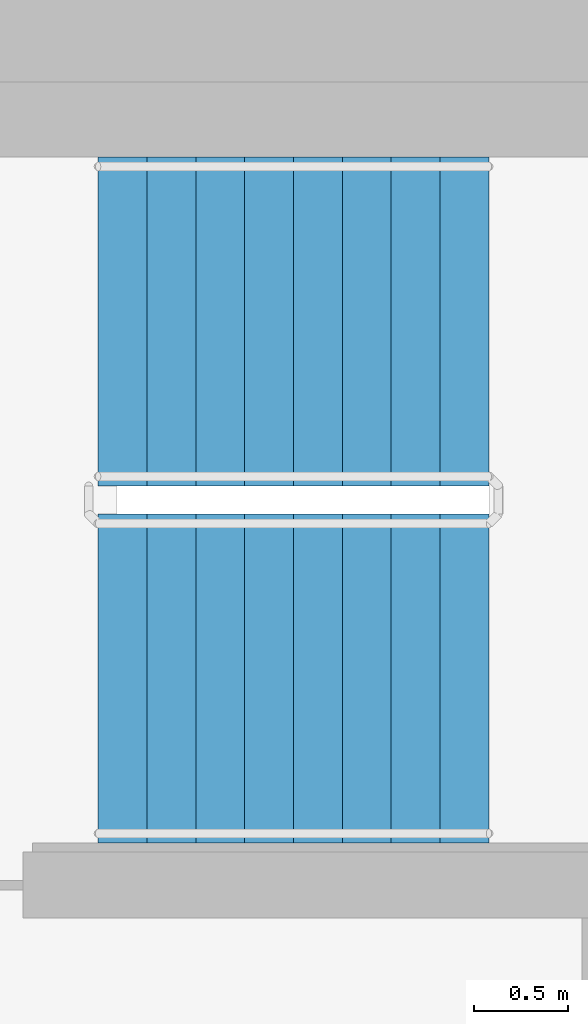
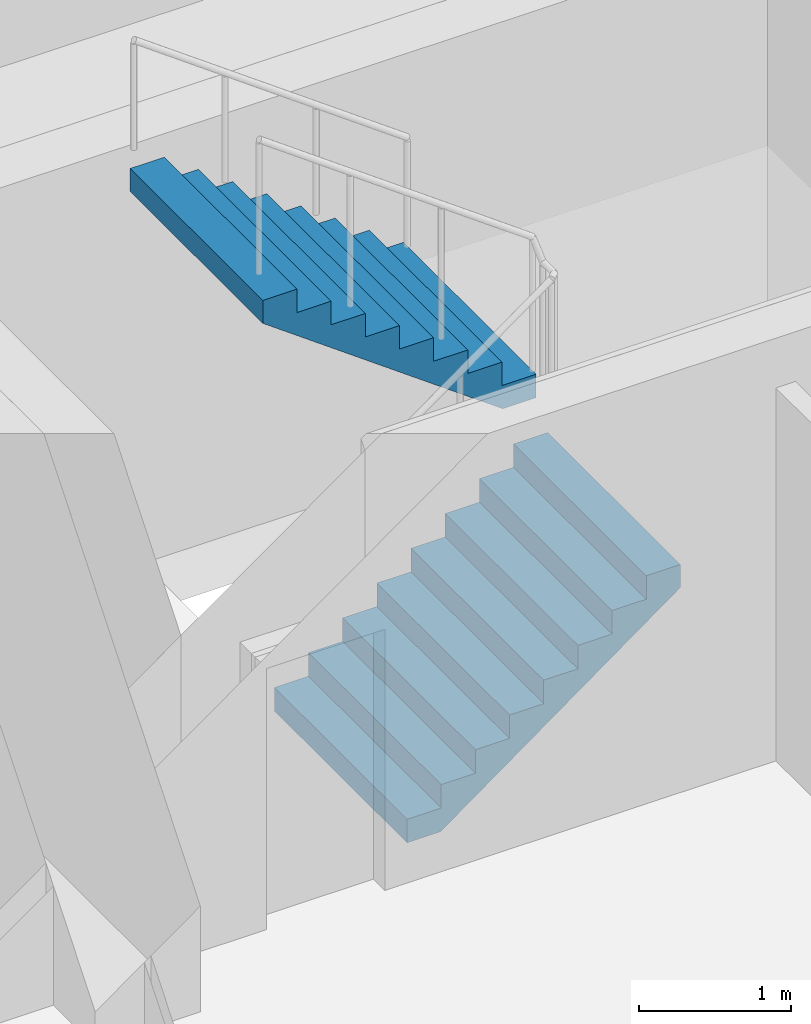
# One storey, part 13 of 18: 2 stair flights, 1 element without a shape of its own.
"""IFC4 building model written with IfcOpenShell, lengths in metres."""

import ifcopenshell
import ifcopenshell.guid

model = None  # the IFC model being written
_history = None  # IfcOwnerHistory: only IFC2X3 demands one
_inside = {}  # id of a spatial element -> (the spatial element, [elements in it])
_under = {}  # id of a project, library or spatial element -> (it, [spatial elements below it])
_declared = {}  # id of a project -> (the project, [libraries it declares])
_typed = {}  # id of a type object -> (the type object, [elements of that type])
_made_of = {}  # id of a material, layer set ... -> (it, [elements and type objects made of it])


def new_model(schema):
    """Start an empty IFC model of exactly this schema.

    Asked for "IFC4X3", IfcOpenShell would pick the latest addendum, in which some entities
    have other attributes; the version numbers below select the first issue.
    IFC2X3 requires an IfcOwnerHistory on every rooted entity: one is made here for all.
    """
    global model, _history
    if schema == "IFC4X3":
        model = ifcopenshell.file(schema_version=(4, 3, 0, 0))
    else:
        model = ifcopenshell.file(schema=schema)
    _inside.clear()
    _under.clear()
    _declared.clear()
    _typed.clear()
    _made_of.clear()
    _history = None
    if model.schema == "IFC2X3":
        org = make("IfcOrganization", Name="unknown")
        user = make(
            "IfcPersonAndOrganization",
            ThePerson=make("IfcPerson", FamilyName="unknown"),
            TheOrganization=org,
        )
        app = make(
            "IfcApplication",
            ApplicationDeveloper=org,
            Version="unknown",
            ApplicationFullName="unknown",
            ApplicationIdentifier="unknown",
        )
        _history = make(
            "IfcOwnerHistory",
            OwningUser=user,
            OwningApplication=app,
            ChangeAction="ADDED",
            CreationDate=0,
        )
    return model


def make(cls, **values):
    """One entity of the class cls with the attributes given. An attribute that is None is left unset."""
    return model.create_entity(
        cls, **{name: value for name, value in values.items() if value is not None}
    )


def rooted(cls, **values):
    """An entity with a GlobalId (a new one), such as an element, a storey or a relation."""
    return make(cls, GlobalId=ifcopenshell.guid.new(), OwnerHistory=_history, **values)


def si_unit(unit_type, name, prefix=None):
    """IfcSIUnit, for example si_unit("LENGTHUNIT", "METRE", prefix="MILLI")."""
    return make("IfcSIUnit", UnitType=unit_type, Prefix=prefix, Name=name)


def assignment(units):
    """IfcUnitAssignment: the units of a project."""
    return None if units is None else make("IfcUnitAssignment", Units=units)


def point(xyz):
    """IfcCartesianPoint."""
    return None if xyz is None else make("IfcCartesianPoint", Coordinates=xyz)


def direction(xyz):
    """IfcDirection."""
    return None if xyz is None else make("IfcDirection", DirectionRatios=xyz)


def frame(location, z_axis=None, x_axis=None):
    """IfcAxis2Placement3D, a coordinate frame: its origin and axes. An axis left out is left unset."""
    return make(
        "IfcAxis2Placement3D",
        Location=point(location),
        Axis=direction(z_axis),
        RefDirection=direction(x_axis),
    )


def origin():
    """The frame at (0, 0, 0) with its axes left unset."""
    return frame((0.0, 0.0, 0.0))


def place(relative_to, where):
    """IfcLocalPlacement: puts the frame where relative to a parent placement (None: the world)."""
    return make(
        "IfcLocalPlacement", PlacementRelTo=relative_to, RelativePlacement=where
    )


def context(
    kind, dimensions, precision=None, world=None, true_north=None, identifier=None
):
    """IfcGeometricRepresentationContext, for example the 3D "Model" context."""
    return make(
        "IfcGeometricRepresentationContext",
        ContextIdentifier=identifier,
        ContextType=kind,
        CoordinateSpaceDimension=dimensions,
        Precision=precision,
        WorldCoordinateSystem=world,
        TrueNorth=true_north,
    )


def subcontext(parent, identifier, kind, view, scale=None):
    """IfcGeometricRepresentationSubContext, for example "Body" below "Model"."""
    return make(
        "IfcGeometricRepresentationSubContext",
        ContextIdentifier=identifier,
        ContextType=kind,
        ParentContext=parent,
        TargetScale=scale,
        TargetView=view,
    )


def project(units=None, contexts=None):
    """IfcProject with its units and contexts."""
    return rooted(
        "IfcProject",
        Name="project",
        RepresentationContexts=contexts,
        UnitsInContext=assignment(units),
    )


def spatial(cls, under=None, at=None, **own):
    """A site, building, storey or space (cls), placed at a placement, below another one or the project."""
    s = rooted(cls, ObjectPlacement=at, **own)
    if under is not None:
        _under.setdefault(under.id(), (under, []))[1].append(s)
    return s


def faces_of(points, faces, orient=None, outer=None):
    """IfcFace entities. A face is a list of loops; a loop is a list of indices into points, from 0.

    orient and outer hold one flag for each loop. By default every Orientation is true, the
    first loop of a face is its IfcFaceOuterBound and the others are IfcFaceBound.
    """
    made = []
    for i, loops in enumerate(faces):
        bounds = []
        for j, loop in enumerate(loops):
            is_outer = j == 0 if outer is None else outer[i][j]
            bounds.append(
                make(
                    "IfcFaceOuterBound" if is_outer else "IfcFaceBound",
                    Bound=make("IfcPolyLoop", Polygon=[points[k] for k in loop]),
                    Orientation=True if orient is None else orient[i][j],
                )
            )
        made.append(make("IfcFace", Bounds=bounds))
    return made


def faceted_brep(points, faces, orient=None, outer=None, voids=None):
    """IfcFacetedBrep: a solid bounded by flat faces; with voids (closed shells), ...WithVoids."""
    shared = [point(p) for p in points]
    hull = make("IfcClosedShell", CfsFaces=faces_of(shared, faces, orient, outer))
    if voids is None:
        return make("IfcFacetedBrep", Outer=hull)
    return make(
        "IfcFacetedBrepWithVoids",
        Outer=hull,
        Voids=[
            make(cls, CfsFaces=faces_of(shared, fs, o, b)) for cls, fs, o, b in voids
        ],
    )


def shape(context_of_items, identifier, shape_type, items):
    """IfcShapeRepresentation: the items that make up one representation, for example the "Body"."""
    return make(
        "IfcShapeRepresentation",
        ContextOfItems=context_of_items,
        RepresentationIdentifier=identifier,
        RepresentationType=shape_type,
        Items=items,
    )


def material(Name=None, Category=None):
    """IfcMaterial."""
    return make("IfcMaterial", Name=Name, Category=Category)


def made_of(thing, what):
    """Note that an element or type object is made of a material, layer set ...; save() writes the relation."""
    if what is not None:
        _made_of.setdefault(what.id(), (what, []))[1].append(thing)
    return thing


def type_object(cls, material=None, **own):
    """A type object (cls), such as IfcWallType, which elements share."""
    return made_of(rooted(cls, **own), material)


def element(
    cls,
    number,
    at=None,
    inside=None,
    cuts=None,
    type_object=None,
    material=None,
    context=None,
    identifier="Body",
    shape_type=None,
    held_by="IfcProductDefinitionShape",
    body=None,
    shapes=None,
    **own,
):
    """One element of the class cls, such as IfcWall. Its Tag is "e" and its number.

    at: its placement. inside: the storey or other place that contains it. cuts: it is an
    opening in that element (IfcRelVoidsElement). A single representation is given by context,
    identifier, shape_type and body (its items); several are given by shapes. held_by: the class
    of the entity that holds the representations. save() writes the other relations.
    """
    e = rooted(cls, Tag="e%d" % number, ObjectPlacement=at, **own)
    if body is not None:
        shapes = [shape(context, identifier, shape_type, body)]
    if shapes is not None:
        e.Representation = make(held_by, Representations=shapes)
    if inside is not None:
        _inside.setdefault(inside.id(), (inside, []))[1].append(e)
    if cuts is not None:
        rooted(
            "IfcRelVoidsElement", RelatingBuildingElement=cuts, RelatedOpeningElement=e
        )
    if type_object is not None:
        _typed.setdefault(type_object.id(), (type_object, []))[1].append(e)
    return made_of(e, material)


def aggregate(whole, parts):
    """IfcRelAggregates: a whole, such as a stair, and the parts it consists of."""
    return rooted("IfcRelAggregates", RelatingObject=whole, RelatedObjects=parts)


def save(model, path):
    """Write the relations noted so far, then the file.

    IfcRelAggregates (storeys below a building ...), IfcRelContainedInSpatialStructure (elements
    in a storey), IfcRelDefinesByType, IfcRelAssociatesMaterial and IfcRelDeclares: one each for
    every whole, place, type object, material and project.
    """
    for whole, parts in _under.values():
        aggregate(whole, parts)
    for where, things in _inside.values():
        rooted(
            "IfcRelContainedInSpatialStructure",
            RelatedElements=things,
            RelatingStructure=where,
        )
    for kind, things in _typed.values():
        rooted("IfcRelDefinesByType", RelatedObjects=things, RelatingType=kind)
    for what, things in _made_of.values():
        rooted("IfcRelAssociatesMaterial", RelatedObjects=things, RelatingMaterial=what)
    for by, libraries in _declared.values():
        rooted("IfcRelDeclares", RelatingContext=by, RelatedDefinitions=libraries)
    model.write(path)


model = new_model("IFC4")

# Units and contexts
model_context = context("Model", 3, precision=1e-05, world=origin(), true_north=direction((0.0, 1.0)))
body_context = subcontext(model_context, "Body", "Model", "MODEL_VIEW")
ifc_project = project(units=[si_unit("LENGTHUNIT", "METRE"), si_unit("AREAUNIT", "SQUARE_METRE"), si_unit("VOLUMEUNIT", "CUBIC_METRE"), si_unit("PLANEANGLEUNIT", "RADIAN"), si_unit("MASSUNIT", "GRAM", prefix="KILO")], contexts=[model_context])

# Site, building, storey
site_placement = place(None, origin())
site = spatial("IfcSite", under=ifc_project, at=site_placement, CompositionType="ELEMENT")
building_placement = place(site_placement, origin())
building = spatial("IfcBuilding", under=site, at=building_placement, Name="Ipe Terrace Towers", CompositionType="ELEMENT")
storey_placement = place(building_placement, frame((0.0, 0.0, 143.89990234375)))
storey = spatial("IfcBuildingStorey", under=building, at=storey_placement, Name="L39", CompositionType="ELEMENT", Elevation=143.89990234375)

# Stair, stair flights
ifc_material_1 = material(Name="Concrete C30/37", Category="concrete")
stair_type = type_object("IfcStairType", Name="Protected exit stair", PredefinedType="HALF_TURN_STAIR", material=ifc_material_1)
stair_placement = place(storey_placement, origin())
stair = element("IfcStair", 1, at=stair_placement, inside=storey, type_object=stair_type, Name="L39 Exit stair T1-C1", PredefinedType="HALF_TURN_STAIR")
ifc_material_2 = material(Name="Concrete C30/37", Category="concrete")
stair_flight_type = type_object("IfcStairFlightType", Name="Exit stair flight 1750", PredefinedType="STRAIGHT", material=ifc_material_2)
stair_flight_1_placement = place(storey_placement, frame((-26.300048828125, 2.77490234375, 0.0), z_axis=(0.0, 0.0, 1.0), x_axis=(1.0, 0.0, 0.0)))
stair_flight_1 = element("IfcStairFlight", 2, at=stair_flight_1_placement, type_object=stair_flight_type, Name="T1-ST1 flight 1", NumberOfRisers=9, NumberOfTreads=8, PredefinedType="STRAIGHT", RiserHeight=0.188888889, TreadLength=0.26, context=body_context, shape_type="Brep", body=[
    faceted_brep([(0.255126953125, -0.875, 0.0), (2.080078125, -0.875, 1.325927734375), (2.080078125, -0.875, 1.51123046875), (1.820068359375, -0.875, 1.51123046875), (1.820068359375, -0.875, 1.322265625), (1.56005859375, -0.875, 1.322265625), (1.56005859375, -0.875, 1.13330078125), (1.300048828125, -0.875, 1.13330078125), (1.300048828125, -0.875, 0.9443359375), (1.0400390625, -0.875, 0.9443359375), (1.0400390625, -0.875, 0.755615234375), (0.780029296875, -0.875, 0.755615234375), (0.780029296875, -0.875, 0.566650390625), (0.52001953125, -0.875, 0.566650390625), (0.52001953125, -0.875, 0.377685546875), (0.260009765625, -0.875, 0.377685546875), (0.260009765625, -0.875, 0.18896484375), (0.0, -0.875, 0.18896484375), (0.0, -0.875, 0.0), (0.0, 0.875, 0.0), (0.0, 0.875, 0.18896484375), (0.260009765625, 0.875, 0.18896484375), (0.260009765625, 0.875, 0.377685546875), (0.52001953125, 0.875, 0.377685546875), (0.52001953125, 0.875, 0.566650390625), (0.780029296875, 0.875, 0.566650390625), (0.780029296875, 0.875, 0.755615234375), (1.0400390625, 0.875, 0.755615234375), (1.0400390625, 0.875, 0.9443359375), (1.300048828125, 0.875, 0.9443359375), (1.300048828125, 0.875, 1.13330078125), (1.56005859375, 0.875, 1.13330078125), (1.56005859375, 0.875, 1.322265625), (1.820068359375, 0.875, 1.322265625), (1.820068359375, 0.875, 1.51123046875), (2.080078125, 0.875, 1.51123046875), (2.080078125, 0.875, 1.325927734375), (0.255126953125, 0.875, 0.0), (0.0, -0.300048828125, 0.18896484375), (0.0, -0.1201171875, 0.18896484375), (0.0, -0.06005859375, 0.18896484375), (0.0, -0.030029296875, 0.18896484375), (0.0, -0.010009765625, 0.18896484375), (0.0, 0.0, 0.18896484375), (0.0, 0.010009765625, 0.18896484375), (0.0, 0.030029296875, 0.18896484375), (0.0, 0.06005859375, 0.18896484375), (0.0, 0.1201171875, 0.18896484375), (0.0, 0.300048828125, 0.18896484375), (0.0, 0.300048828125, 0.0), (0.0, 0.1201171875, 0.0), (0.0, 0.06005859375, 0.0), (0.0, 0.030029296875, 0.0), (0.0, 0.010009765625, 0.0), (0.0, 0.0, 0.0), (0.0, -0.010009765625, 0.0), (0.0, -0.030029296875, 0.0), (0.0, -0.06005859375, 0.0), (0.0, -0.1201171875, 0.0), (0.0, -0.300048828125, 0.0), (0.260009765625, -0.300048828125, 0.18896484375), (0.260009765625, -0.1201171875, 0.18896484375), (0.260009765625, -0.06005859375, 0.18896484375), (0.260009765625, -0.030029296875, 0.18896484375), (0.260009765625, -0.010009765625, 0.18896484375), (0.260009765625, 0.0, 0.18896484375), (0.260009765625, 0.010009765625, 0.18896484375), (0.260009765625, 0.030029296875, 0.18896484375), (0.260009765625, 0.06005859375, 0.18896484375), (0.260009765625, 0.1201171875, 0.18896484375), (0.260009765625, 0.300048828125, 0.18896484375), (0.260009765625, -0.300048828125, 0.377685546875), (0.260009765625, -0.1201171875, 0.377685546875), (0.260009765625, -0.06005859375, 0.377685546875), (0.260009765625, -0.030029296875, 0.377685546875), (0.260009765625, -0.010009765625, 0.377685546875), (0.260009765625, 0.0, 0.377685546875), (0.260009765625, 0.010009765625, 0.377685546875), (0.260009765625, 0.030029296875, 0.377685546875), (0.260009765625, 0.06005859375, 0.377685546875), (0.260009765625, 0.1201171875, 0.377685546875), (0.260009765625, 0.300048828125, 0.377685546875), (0.52001953125, -0.300048828125, 0.377685546875), (0.52001953125, -0.1201171875, 0.377685546875), (0.52001953125, -0.06005859375, 0.377685546875), (0.52001953125, -0.030029296875, 0.377685546875), (0.52001953125, -0.010009765625, 0.377685546875), (0.52001953125, 0.0, 0.377685546875), (0.52001953125, 0.010009765625, 0.377685546875), (0.52001953125, 0.030029296875, 0.377685546875), (0.52001953125, 0.06005859375, 0.377685546875), (0.52001953125, 0.1201171875, 0.377685546875), (0.52001953125, 0.300048828125, 0.377685546875), (0.52001953125, -0.300048828125, 0.566650390625), (0.52001953125, -0.1201171875, 0.566650390625), (0.52001953125, -0.06005859375, 0.566650390625), (0.52001953125, -0.030029296875, 0.566650390625), (0.52001953125, -0.010009765625, 0.566650390625), (0.52001953125, 0.0, 0.566650390625), (0.52001953125, 0.010009765625, 0.566650390625), (0.52001953125, 0.030029296875, 0.566650390625), (0.52001953125, 0.06005859375, 0.566650390625), (0.52001953125, 0.1201171875, 0.566650390625), (0.52001953125, 0.300048828125, 0.566650390625), (0.780029296875, -0.300048828125, 0.566650390625), (0.780029296875, -0.1201171875, 0.566650390625), (0.780029296875, -0.06005859375, 0.566650390625), (0.780029296875, -0.030029296875, 0.566650390625), (0.780029296875, -0.010009765625, 0.566650390625), (0.780029296875, 0.0, 0.566650390625), (0.780029296875, 0.010009765625, 0.566650390625), (0.780029296875, 0.030029296875, 0.566650390625), (0.780029296875, 0.06005859375, 0.566650390625), (0.780029296875, 0.1201171875, 0.566650390625), (0.780029296875, 0.300048828125, 0.566650390625), (0.780029296875, -0.300048828125, 0.755615234375), (0.780029296875, -0.1201171875, 0.755615234375), (0.780029296875, -0.06005859375, 0.755615234375), (0.780029296875, -0.030029296875, 0.755615234375), (0.780029296875, -0.010009765625, 0.755615234375), (0.780029296875, 0.0, 0.755615234375), (0.780029296875, 0.010009765625, 0.755615234375), (0.780029296875, 0.030029296875, 0.755615234375), (0.780029296875, 0.06005859375, 0.755615234375), (0.780029296875, 0.1201171875, 0.755615234375), (0.780029296875, 0.300048828125, 0.755615234375), (1.0400390625, -0.300048828125, 0.755615234375), (1.0400390625, -0.1201171875, 0.755615234375), (1.0400390625, -0.06005859375, 0.755615234375), (1.0400390625, -0.030029296875, 0.755615234375), (1.0400390625, -0.010009765625, 0.755615234375), (1.0400390625, 0.0, 0.755615234375), (1.0400390625, 0.010009765625, 0.755615234375), (1.0400390625, 0.030029296875, 0.755615234375), (1.0400390625, 0.06005859375, 0.755615234375), (1.0400390625, 0.1201171875, 0.755615234375), (1.0400390625, 0.300048828125, 0.755615234375), (1.0400390625, -0.300048828125, 0.9443359375), (1.0400390625, -0.1201171875, 0.9443359375), (1.0400390625, -0.06005859375, 0.9443359375), (1.0400390625, -0.030029296875, 0.9443359375), (1.0400390625, -0.010009765625, 0.9443359375), (1.0400390625, 0.0, 0.9443359375), (1.0400390625, 0.010009765625, 0.9443359375), (1.0400390625, 0.030029296875, 0.9443359375), (1.0400390625, 0.06005859375, 0.9443359375), (1.0400390625, 0.1201171875, 0.9443359375), (1.0400390625, 0.300048828125, 0.9443359375), (1.300048828125, -0.300048828125, 0.9443359375), (1.300048828125, -0.1201171875, 0.9443359375), (1.300048828125, -0.06005859375, 0.9443359375), (1.300048828125, -0.030029296875, 0.9443359375), (1.300048828125, -0.010009765625, 0.9443359375), (1.300048828125, 0.0, 0.9443359375), (1.300048828125, 0.010009765625, 0.9443359375), (1.300048828125, 0.030029296875, 0.9443359375), (1.300048828125, 0.06005859375, 0.9443359375), (1.300048828125, 0.1201171875, 0.9443359375), (1.300048828125, 0.300048828125, 0.9443359375), (1.300048828125, -0.300048828125, 1.13330078125), (1.300048828125, -0.1201171875, 1.13330078125), (1.300048828125, -0.06005859375, 1.13330078125), (1.300048828125, -0.030029296875, 1.13330078125), (1.300048828125, -0.010009765625, 1.13330078125), (1.300048828125, 0.0, 1.13330078125), (1.300048828125, 0.010009765625, 1.13330078125), (1.300048828125, 0.030029296875, 1.13330078125), (1.300048828125, 0.06005859375, 1.13330078125), (1.300048828125, 0.1201171875, 1.13330078125), (1.300048828125, 0.300048828125, 1.13330078125), (1.56005859375, -0.300048828125, 1.13330078125), (1.56005859375, -0.1201171875, 1.13330078125), (1.56005859375, -0.06005859375, 1.13330078125), (1.56005859375, -0.030029296875, 1.13330078125), (1.56005859375, -0.010009765625, 1.13330078125), (1.56005859375, 0.0, 1.13330078125), (1.56005859375, 0.010009765625, 1.13330078125), (1.56005859375, 0.030029296875, 1.13330078125), (1.56005859375, 0.06005859375, 1.13330078125), (1.56005859375, 0.1201171875, 1.13330078125), (1.56005859375, 0.300048828125, 1.13330078125), (1.56005859375, -0.300048828125, 1.322265625), (1.56005859375, -0.1201171875, 1.322265625), (1.56005859375, -0.06005859375, 1.322265625), (1.56005859375, -0.030029296875, 1.322265625), (1.56005859375, -0.010009765625, 1.322265625), (1.56005859375, 0.0, 1.322265625), (1.56005859375, 0.010009765625, 1.322265625), (1.56005859375, 0.030029296875, 1.322265625), (1.56005859375, 0.06005859375, 1.322265625), (1.56005859375, 0.1201171875, 1.322265625), (1.56005859375, 0.300048828125, 1.322265625), (1.820068359375, -0.300048828125, 1.322265625), (1.820068359375, -0.1201171875, 1.322265625), (1.820068359375, -0.06005859375, 1.322265625), (1.820068359375, -0.030029296875, 1.322265625), (1.820068359375, -0.010009765625, 1.322265625), (1.820068359375, 0.0, 1.322265625), (1.820068359375, 0.010009765625, 1.322265625), (1.820068359375, 0.030029296875, 1.322265625), (1.820068359375, 0.06005859375, 1.322265625), (1.820068359375, 0.1201171875, 1.322265625), (1.820068359375, 0.300048828125, 1.322265625), (1.820068359375, -0.300048828125, 1.51123046875), (1.820068359375, -0.1201171875, 1.51123046875), (1.820068359375, -0.06005859375, 1.51123046875), (1.820068359375, -0.030029296875, 1.51123046875), (1.820068359375, -0.010009765625, 1.51123046875), (1.820068359375, 0.0, 1.51123046875), (1.820068359375, 0.010009765625, 1.51123046875), (1.820068359375, 0.030029296875, 1.51123046875), (1.820068359375, 0.06005859375, 1.51123046875), (1.820068359375, 0.1201171875, 1.51123046875), (1.820068359375, 0.300048828125, 1.51123046875), (2.080078125, -0.300048828125, 1.51123046875), (2.080078125, -0.1201171875, 1.51123046875), (2.080078125, -0.06005859375, 1.51123046875), (2.080078125, -0.030029296875, 1.51123046875), (2.080078125, -0.010009765625, 1.51123046875), (2.080078125, 0.0, 1.51123046875), (2.080078125, 0.010009765625, 1.51123046875), (2.080078125, 0.030029296875, 1.51123046875), (2.080078125, 0.06005859375, 1.51123046875), (2.080078125, 0.1201171875, 1.51123046875), (2.080078125, 0.300048828125, 1.51123046875), (2.080078125, -0.300048828125, 1.325927734375), (2.080078125, -0.1201171875, 1.325927734375), (2.080078125, -0.06005859375, 1.325927734375), (2.080078125, -0.030029296875, 1.325927734375), (2.080078125, -0.010009765625, 1.325927734375), (2.080078125, 0.0, 1.325927734375), (2.080078125, 0.010009765625, 1.325927734375), (2.080078125, 0.030029296875, 1.325927734375), (2.080078125, 0.06005859375, 1.325927734375), (2.080078125, 0.1201171875, 1.325927734375), (2.080078125, 0.300048828125, 1.325927734375), (0.255126953125, -0.300048828125, 0.0), (0.255126953125, -0.1201171875, 0.0), (0.255126953125, -0.06005859375, 0.0), (0.255126953125, -0.030029296875, 0.0), (0.255126953125, -0.010009765625, 0.0), (0.255126953125, 0.0, 0.0), (0.255126953125, 0.010009765625, 0.0), (0.255126953125, 0.030029296875, 0.0), (0.255126953125, 0.06005859375, 0.0), (0.255126953125, 0.1201171875, 0.0), (0.255126953125, 0.300048828125, 0.0)], [[[0, 1, 2, 3, 4, 5, 6, 7, 8, 9, 10, 11, 12, 13, 14, 15, 16, 17, 18]], [[19, 20, 21, 22, 23, 24, 25, 26, 27, 28, 29, 30, 31, 32, 33, 34, 35, 36, 37]], [[17, 38, 39, 40, 41, 42, 43, 44, 45, 46, 47, 48, 20, 19, 49, 50, 51, 52, 53, 54, 55, 56, 57, 58, 59, 18]], [[16, 60, 61, 62, 63, 64, 65, 66, 67, 68, 69, 70, 21, 20, 48, 47, 46, 45, 44, 43, 42, 41, 40, 39, 38, 17]], [[15, 71, 72, 73, 74, 75, 76, 77, 78, 79, 80, 81, 22, 21, 70, 69, 68, 67, 66, 65, 64, 63, 62, 61, 60, 16]], [[14, 82, 83, 84, 85, 86, 87, 88, 89, 90, 91, 92, 23, 22, 81, 80, 79, 78, 77, 76, 75, 74, 73, 72, 71, 15]], [[13, 93, 94, 95, 96, 97, 98, 99, 100, 101, 102, 103, 24, 23, 92, 91, 90, 89, 88, 87, 86, 85, 84, 83, 82, 14]], [[12, 104, 105, 106, 107, 108, 109, 110, 111, 112, 113, 114, 25, 24, 103, 102, 101, 100, 99, 98, 97, 96, 95, 94, 93, 13]], [[11, 115, 116, 117, 118, 119, 120, 121, 122, 123, 124, 125, 26, 25, 114, 113, 112, 111, 110, 109, 108, 107, 106, 105, 104, 12]], [[10, 126, 127, 128, 129, 130, 131, 132, 133, 134, 135, 136, 27, 26, 125, 124, 123, 122, 121, 120, 119, 118, 117, 116, 115, 11]], [[9, 137, 138, 139, 140, 141, 142, 143, 144, 145, 146, 147, 28, 27, 136, 135, 134, 133, 132, 131, 130, 129, 128, 127, 126, 10]], [[8, 148, 149, 150, 151, 152, 153, 154, 155, 156, 157, 158, 29, 28, 147, 146, 145, 144, 143, 142, 141, 140, 139, 138, 137, 9]], [[7, 159, 160, 161, 162, 163, 164, 165, 166, 167, 168, 169, 30, 29, 158, 157, 156, 155, 154, 153, 152, 151, 150, 149, 148, 8]], [[6, 170, 171, 172, 173, 174, 175, 176, 177, 178, 179, 180, 31, 30, 169, 168, 167, 166, 165, 164, 163, 162, 161, 160, 159, 7]], [[5, 181, 182, 183, 184, 185, 186, 187, 188, 189, 190, 191, 32, 31, 180, 179, 178, 177, 176, 175, 174, 173, 172, 171, 170, 6]], [[4, 192, 193, 194, 195, 196, 197, 198, 199, 200, 201, 202, 33, 32, 191, 190, 189, 188, 187, 186, 185, 184, 183, 182, 181, 5]], [[3, 203, 204, 205, 206, 207, 208, 209, 210, 211, 212, 213, 34, 33, 202, 201, 200, 199, 198, 197, 196, 195, 194, 193, 192, 4]], [[2, 214, 215, 216, 217, 218, 219, 220, 221, 222, 223, 224, 35, 34, 213, 212, 211, 210, 209, 208, 207, 206, 205, 204, 203, 3]], [[1, 225, 226, 227, 228, 229, 230, 231, 232, 233, 234, 235, 36, 35, 224, 223, 222, 221, 220, 219, 218, 217, 216, 215, 214, 2]], [[0, 236, 237, 238, 239, 240, 241, 242, 243, 244, 245, 246, 37, 36, 235, 234, 233, 232, 231, 230, 229, 228, 227, 226, 225, 1]], [[18, 59, 58, 57, 56, 55, 54, 53, 52, 51, 50, 49, 19, 37, 246, 245, 244, 243, 242, 241, 240, 239, 238, 237, 236, 0]]]),
])
stair_flight_2_placement = place(storey_placement, frame((-24.219970703125, 4.675048828125, 1.7001953125), z_axis=(0.0, 0.0, 1.0), x_axis=(-1.0, 0.0, 0.0)))
stair_flight_2 = element("IfcStairFlight", 3, at=stair_flight_2_placement, type_object=stair_flight_type, Name="T1-ST1 flight 2", NumberOfRisers=9, NumberOfTreads=8, PredefinedType="STRAIGHT", RiserHeight=0.188888889, TreadLength=0.26, context=body_context, shape_type="Brep", body=[
    faceted_brep([(0.255126953125, -0.875, 0.0), (2.080078125, -0.875, 1.325927734375), (2.080078125, -0.875, 1.51123046875), (1.820068359375, -0.875, 1.51123046875), (1.820068359375, -0.875, 1.322265625), (1.56005859375, -0.875, 1.322265625), (1.56005859375, -0.875, 1.13330078125), (1.300048828125, -0.875, 1.13330078125), (1.300048828125, -0.875, 0.9443359375), (1.0400390625, -0.875, 0.9443359375), (1.0400390625, -0.875, 0.755615234375), (0.780029296875, -0.875, 0.755615234375), (0.780029296875, -0.875, 0.566650390625), (0.52001953125, -0.875, 0.566650390625), (0.52001953125, -0.875, 0.377685546875), (0.260009765625, -0.875, 0.377685546875), (0.260009765625, -0.875, 0.18896484375), (0.0, -0.875, 0.18896484375), (0.0, -0.875, 0.0), (0.0, 0.875, 0.0), (0.0, 0.875, 0.18896484375), (0.260009765625, 0.875, 0.18896484375), (0.260009765625, 0.875, 0.377685546875), (0.52001953125, 0.875, 0.377685546875), (0.52001953125, 0.875, 0.566650390625), (0.780029296875, 0.875, 0.566650390625), (0.780029296875, 0.875, 0.755615234375), (1.0400390625, 0.875, 0.755615234375), (1.0400390625, 0.875, 0.9443359375), (1.300048828125, 0.875, 0.9443359375), (1.300048828125, 0.875, 1.13330078125), (1.56005859375, 0.875, 1.13330078125), (1.56005859375, 0.875, 1.322265625), (1.820068359375, 0.875, 1.322265625), (1.820068359375, 0.875, 1.51123046875), (2.080078125, 0.875, 1.51123046875), (2.080078125, 0.875, 1.325927734375), (0.255126953125, 0.875, 0.0), (0.0, -0.300048828125, 0.18896484375), (0.0, -0.1201171875, 0.18896484375), (0.0, -0.06005859375, 0.18896484375), (0.0, -0.030029296875, 0.18896484375), (0.0, -0.010009765625, 0.18896484375), (0.0, 0.0, 0.18896484375), (0.0, 0.010009765625, 0.18896484375), (0.0, 0.030029296875, 0.18896484375), (0.0, 0.06005859375, 0.18896484375), (0.0, 0.1201171875, 0.18896484375), (0.0, 0.300048828125, 0.18896484375), (0.0, 0.300048828125, 0.0), (0.0, 0.1201171875, 0.0), (0.0, 0.06005859375, 0.0), (0.0, 0.030029296875, 0.0), (0.0, 0.010009765625, 0.0), (0.0, 0.0, 0.0), (0.0, -0.010009765625, 0.0), (0.0, -0.030029296875, 0.0), (0.0, -0.06005859375, 0.0), (0.0, -0.1201171875, 0.0), (0.0, -0.300048828125, 0.0), (0.260009765625, -0.300048828125, 0.18896484375), (0.260009765625, -0.1201171875, 0.18896484375), (0.260009765625, -0.06005859375, 0.18896484375), (0.260009765625, -0.030029296875, 0.18896484375), (0.260009765625, -0.010009765625, 0.18896484375), (0.260009765625, 0.0, 0.18896484375), (0.260009765625, 0.010009765625, 0.18896484375), (0.260009765625, 0.030029296875, 0.18896484375), (0.260009765625, 0.06005859375, 0.18896484375), (0.260009765625, 0.1201171875, 0.18896484375), (0.260009765625, 0.300048828125, 0.18896484375), (0.260009765625, -0.300048828125, 0.377685546875), (0.260009765625, -0.1201171875, 0.377685546875), (0.260009765625, -0.06005859375, 0.377685546875), (0.260009765625, -0.030029296875, 0.377685546875), (0.260009765625, -0.010009765625, 0.377685546875), (0.260009765625, 0.0, 0.377685546875), (0.260009765625, 0.010009765625, 0.377685546875), (0.260009765625, 0.030029296875, 0.377685546875), (0.260009765625, 0.06005859375, 0.377685546875), (0.260009765625, 0.1201171875, 0.377685546875), (0.260009765625, 0.300048828125, 0.377685546875), (0.52001953125, -0.300048828125, 0.377685546875), (0.52001953125, -0.1201171875, 0.377685546875), (0.52001953125, -0.06005859375, 0.377685546875), (0.52001953125, -0.030029296875, 0.377685546875), (0.52001953125, -0.010009765625, 0.377685546875), (0.52001953125, 0.0, 0.377685546875), (0.52001953125, 0.010009765625, 0.377685546875), (0.52001953125, 0.030029296875, 0.377685546875), (0.52001953125, 0.06005859375, 0.377685546875), (0.52001953125, 0.1201171875, 0.377685546875), (0.52001953125, 0.300048828125, 0.377685546875), (0.52001953125, -0.300048828125, 0.566650390625), (0.52001953125, -0.1201171875, 0.566650390625), (0.52001953125, -0.06005859375, 0.566650390625), (0.52001953125, -0.030029296875, 0.566650390625), (0.52001953125, -0.010009765625, 0.566650390625), (0.52001953125, 0.0, 0.566650390625), (0.52001953125, 0.010009765625, 0.566650390625), (0.52001953125, 0.030029296875, 0.566650390625), (0.52001953125, 0.06005859375, 0.566650390625), (0.52001953125, 0.1201171875, 0.566650390625), (0.52001953125, 0.300048828125, 0.566650390625), (0.780029296875, -0.300048828125, 0.566650390625), (0.780029296875, -0.1201171875, 0.566650390625), (0.780029296875, -0.06005859375, 0.566650390625), (0.780029296875, -0.030029296875, 0.566650390625), (0.780029296875, -0.010009765625, 0.566650390625), (0.780029296875, 0.0, 0.566650390625), (0.780029296875, 0.010009765625, 0.566650390625), (0.780029296875, 0.030029296875, 0.566650390625), (0.780029296875, 0.06005859375, 0.566650390625), (0.780029296875, 0.1201171875, 0.566650390625), (0.780029296875, 0.300048828125, 0.566650390625), (0.780029296875, -0.300048828125, 0.755615234375), (0.780029296875, -0.1201171875, 0.755615234375), (0.780029296875, -0.06005859375, 0.755615234375), (0.780029296875, -0.030029296875, 0.755615234375), (0.780029296875, -0.010009765625, 0.755615234375), (0.780029296875, 0.0, 0.755615234375), (0.780029296875, 0.010009765625, 0.755615234375), (0.780029296875, 0.030029296875, 0.755615234375), (0.780029296875, 0.06005859375, 0.755615234375), (0.780029296875, 0.1201171875, 0.755615234375), (0.780029296875, 0.300048828125, 0.755615234375), (1.0400390625, -0.300048828125, 0.755615234375), (1.0400390625, -0.1201171875, 0.755615234375), (1.0400390625, -0.06005859375, 0.755615234375), (1.0400390625, -0.030029296875, 0.755615234375), (1.0400390625, -0.010009765625, 0.755615234375), (1.0400390625, 0.0, 0.755615234375), (1.0400390625, 0.010009765625, 0.755615234375), (1.0400390625, 0.030029296875, 0.755615234375), (1.0400390625, 0.06005859375, 0.755615234375), (1.0400390625, 0.1201171875, 0.755615234375), (1.0400390625, 0.300048828125, 0.755615234375), (1.0400390625, -0.300048828125, 0.9443359375), (1.0400390625, -0.1201171875, 0.9443359375), (1.0400390625, -0.06005859375, 0.9443359375), (1.0400390625, -0.030029296875, 0.9443359375), (1.0400390625, -0.010009765625, 0.9443359375), (1.0400390625, 0.0, 0.9443359375), (1.0400390625, 0.010009765625, 0.9443359375), (1.0400390625, 0.030029296875, 0.9443359375), (1.0400390625, 0.06005859375, 0.9443359375), (1.0400390625, 0.1201171875, 0.9443359375), (1.0400390625, 0.300048828125, 0.9443359375), (1.300048828125, -0.300048828125, 0.9443359375), (1.300048828125, -0.1201171875, 0.9443359375), (1.300048828125, -0.06005859375, 0.9443359375), (1.300048828125, -0.030029296875, 0.9443359375), (1.300048828125, -0.010009765625, 0.9443359375), (1.300048828125, 0.0, 0.9443359375), (1.300048828125, 0.010009765625, 0.9443359375), (1.300048828125, 0.030029296875, 0.9443359375), (1.300048828125, 0.06005859375, 0.9443359375), (1.300048828125, 0.1201171875, 0.9443359375), (1.300048828125, 0.300048828125, 0.9443359375), (1.300048828125, -0.300048828125, 1.13330078125), (1.300048828125, -0.1201171875, 1.13330078125), (1.300048828125, -0.06005859375, 1.13330078125), (1.300048828125, -0.030029296875, 1.13330078125), (1.300048828125, -0.010009765625, 1.13330078125), (1.300048828125, 0.0, 1.13330078125), (1.300048828125, 0.010009765625, 1.13330078125), (1.300048828125, 0.030029296875, 1.13330078125), (1.300048828125, 0.06005859375, 1.13330078125), (1.300048828125, 0.1201171875, 1.13330078125), (1.300048828125, 0.300048828125, 1.13330078125), (1.56005859375, -0.300048828125, 1.13330078125), (1.56005859375, -0.1201171875, 1.13330078125), (1.56005859375, -0.06005859375, 1.13330078125), (1.56005859375, -0.030029296875, 1.13330078125), (1.56005859375, -0.010009765625, 1.13330078125), (1.56005859375, 0.0, 1.13330078125), (1.56005859375, 0.010009765625, 1.13330078125), (1.56005859375, 0.030029296875, 1.13330078125), (1.56005859375, 0.06005859375, 1.13330078125), (1.56005859375, 0.1201171875, 1.13330078125), (1.56005859375, 0.300048828125, 1.13330078125), (1.56005859375, -0.300048828125, 1.322265625), (1.56005859375, -0.1201171875, 1.322265625), (1.56005859375, -0.06005859375, 1.322265625), (1.56005859375, -0.030029296875, 1.322265625), (1.56005859375, -0.010009765625, 1.322265625), (1.56005859375, 0.0, 1.322265625), (1.56005859375, 0.010009765625, 1.322265625), (1.56005859375, 0.030029296875, 1.322265625), (1.56005859375, 0.06005859375, 1.322265625), (1.56005859375, 0.1201171875, 1.322265625), (1.56005859375, 0.300048828125, 1.322265625), (1.820068359375, -0.300048828125, 1.322265625), (1.820068359375, -0.1201171875, 1.322265625), (1.820068359375, -0.06005859375, 1.322265625), (1.820068359375, -0.030029296875, 1.322265625), (1.820068359375, -0.010009765625, 1.322265625), (1.820068359375, 0.0, 1.322265625), (1.820068359375, 0.010009765625, 1.322265625), (1.820068359375, 0.030029296875, 1.322265625), (1.820068359375, 0.06005859375, 1.322265625), (1.820068359375, 0.1201171875, 1.322265625), (1.820068359375, 0.300048828125, 1.322265625), (1.820068359375, -0.300048828125, 1.51123046875), (1.820068359375, -0.1201171875, 1.51123046875), (1.820068359375, -0.06005859375, 1.51123046875), (1.820068359375, -0.030029296875, 1.51123046875), (1.820068359375, -0.010009765625, 1.51123046875), (1.820068359375, 0.0, 1.51123046875), (1.820068359375, 0.010009765625, 1.51123046875), (1.820068359375, 0.030029296875, 1.51123046875), (1.820068359375, 0.06005859375, 1.51123046875), (1.820068359375, 0.1201171875, 1.51123046875), (1.820068359375, 0.300048828125, 1.51123046875), (2.080078125, -0.300048828125, 1.51123046875), (2.080078125, -0.1201171875, 1.51123046875), (2.080078125, -0.06005859375, 1.51123046875), (2.080078125, -0.030029296875, 1.51123046875), (2.080078125, -0.010009765625, 1.51123046875), (2.080078125, 0.0, 1.51123046875), (2.080078125, 0.010009765625, 1.51123046875), (2.080078125, 0.030029296875, 1.51123046875), (2.080078125, 0.06005859375, 1.51123046875), (2.080078125, 0.1201171875, 1.51123046875), (2.080078125, 0.300048828125, 1.51123046875), (2.080078125, -0.300048828125, 1.325927734375), (2.080078125, -0.1201171875, 1.325927734375), (2.080078125, -0.06005859375, 1.325927734375), (2.080078125, -0.030029296875, 1.325927734375), (2.080078125, -0.010009765625, 1.325927734375), (2.080078125, 0.0, 1.325927734375), (2.080078125, 0.010009765625, 1.325927734375), (2.080078125, 0.030029296875, 1.325927734375), (2.080078125, 0.06005859375, 1.325927734375), (2.080078125, 0.1201171875, 1.325927734375), (2.080078125, 0.300048828125, 1.325927734375), (0.255126953125, -0.300048828125, 0.0), (0.255126953125, -0.1201171875, 0.0), (0.255126953125, -0.06005859375, 0.0), (0.255126953125, -0.030029296875, 0.0), (0.255126953125, -0.010009765625, 0.0), (0.255126953125, 0.0, 0.0), (0.255126953125, 0.010009765625, 0.0), (0.255126953125, 0.030029296875, 0.0), (0.255126953125, 0.06005859375, 0.0), (0.255126953125, 0.1201171875, 0.0), (0.255126953125, 0.300048828125, 0.0)], [[[0, 1, 2, 3, 4, 5, 6, 7, 8, 9, 10, 11, 12, 13, 14, 15, 16, 17, 18]], [[19, 20, 21, 22, 23, 24, 25, 26, 27, 28, 29, 30, 31, 32, 33, 34, 35, 36, 37]], [[17, 38, 39, 40, 41, 42, 43, 44, 45, 46, 47, 48, 20, 19, 49, 50, 51, 52, 53, 54, 55, 56, 57, 58, 59, 18]], [[16, 60, 61, 62, 63, 64, 65, 66, 67, 68, 69, 70, 21, 20, 48, 47, 46, 45, 44, 43, 42, 41, 40, 39, 38, 17]], [[15, 71, 72, 73, 74, 75, 76, 77, 78, 79, 80, 81, 22, 21, 70, 69, 68, 67, 66, 65, 64, 63, 62, 61, 60, 16]], [[14, 82, 83, 84, 85, 86, 87, 88, 89, 90, 91, 92, 23, 22, 81, 80, 79, 78, 77, 76, 75, 74, 73, 72, 71, 15]], [[13, 93, 94, 95, 96, 97, 98, 99, 100, 101, 102, 103, 24, 23, 92, 91, 90, 89, 88, 87, 86, 85, 84, 83, 82, 14]], [[12, 104, 105, 106, 107, 108, 109, 110, 111, 112, 113, 114, 25, 24, 103, 102, 101, 100, 99, 98, 97, 96, 95, 94, 93, 13]], [[11, 115, 116, 117, 118, 119, 120, 121, 122, 123, 124, 125, 26, 25, 114, 113, 112, 111, 110, 109, 108, 107, 106, 105, 104, 12]], [[10, 126, 127, 128, 129, 130, 131, 132, 133, 134, 135, 136, 27, 26, 125, 124, 123, 122, 121, 120, 119, 118, 117, 116, 115, 11]], [[9, 137, 138, 139, 140, 141, 142, 143, 144, 145, 146, 147, 28, 27, 136, 135, 134, 133, 132, 131, 130, 129, 128, 127, 126, 10]], [[8, 148, 149, 150, 151, 152, 153, 154, 155, 156, 157, 158, 29, 28, 147, 146, 145, 144, 143, 142, 141, 140, 139, 138, 137, 9]], [[7, 159, 160, 161, 162, 163, 164, 165, 166, 167, 168, 169, 30, 29, 158, 157, 156, 155, 154, 153, 152, 151, 150, 149, 148, 8]], [[6, 170, 171, 172, 173, 174, 175, 176, 177, 178, 179, 180, 31, 30, 169, 168, 167, 166, 165, 164, 163, 162, 161, 160, 159, 7]], [[5, 181, 182, 183, 184, 185, 186, 187, 188, 189, 190, 191, 32, 31, 180, 179, 178, 177, 176, 175, 174, 173, 172, 171, 170, 6]], [[4, 192, 193, 194, 195, 196, 197, 198, 199, 200, 201, 202, 33, 32, 191, 190, 189, 188, 187, 186, 185, 184, 183, 182, 181, 5]], [[3, 203, 204, 205, 206, 207, 208, 209, 210, 211, 212, 213, 34, 33, 202, 201, 200, 199, 198, 197, 196, 195, 194, 193, 192, 4]], [[2, 214, 215, 216, 217, 218, 219, 220, 221, 222, 223, 224, 35, 34, 213, 212, 211, 210, 209, 208, 207, 206, 205, 204, 203, 3]], [[1, 225, 226, 227, 228, 229, 230, 231, 232, 233, 234, 235, 36, 35, 224, 223, 222, 221, 220, 219, 218, 217, 216, 215, 214, 2]], [[0, 236, 237, 238, 239, 240, 241, 242, 243, 244, 245, 246, 37, 36, 235, 234, 233, 232, 231, 230, 229, 228, 227, 226, 225, 1]], [[18, 59, 58, 57, 56, 55, 54, 53, 52, 51, 50, 49, 19, 37, 246, 245, 244, 243, 242, 241, 240, 239, 238, 237, 236, 0]]]),
])
aggregate(stair, [stair_flight_1, stair_flight_2])

save(model, "model.ifc")
